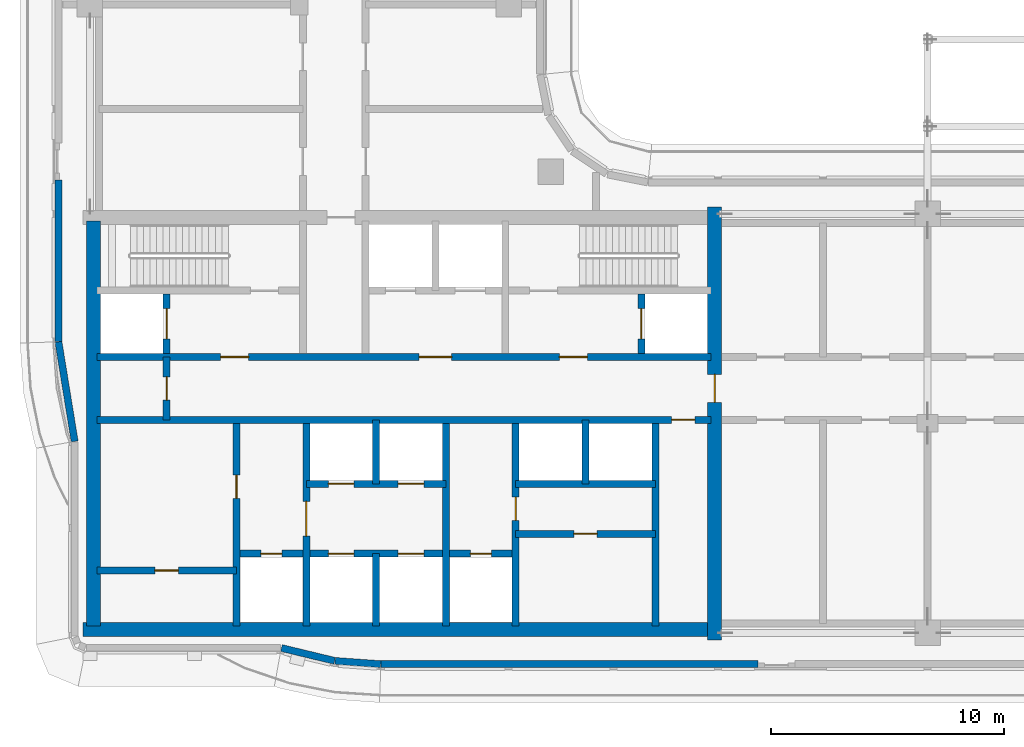
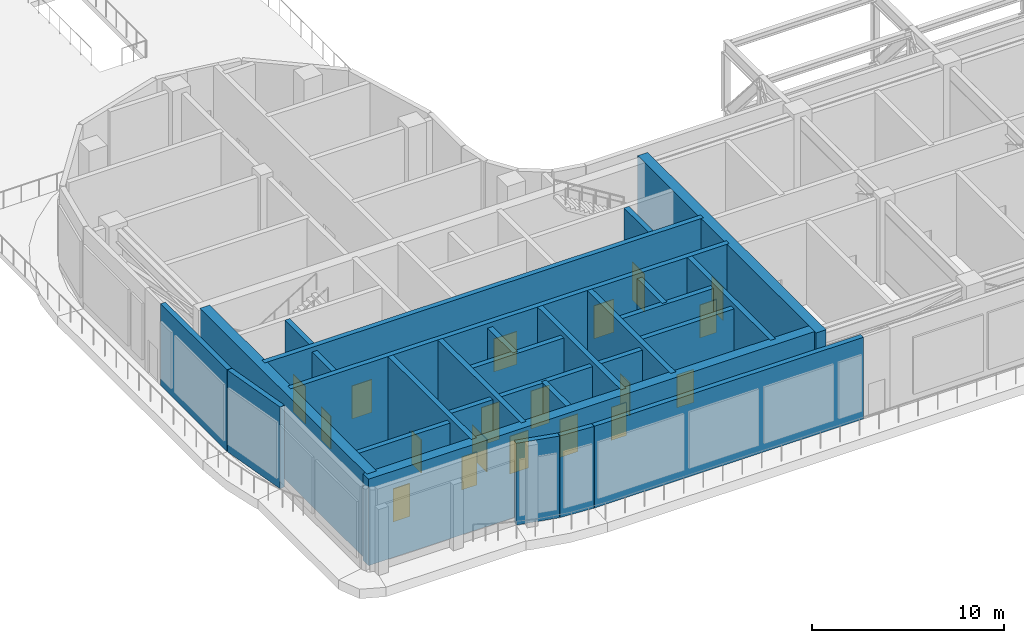
# One storey, part 4 of 18: 26 walls, 19 doors, 19 openings.
"""IFC4 building model written with IfcOpenShell, lengths in metres."""

from ifc_helpers import new_model, si_unit, direction, frame, frame_2d, origin, place, context, subcontext, project, spatial, rectangle, extrude, material, layer, layer_set, type_object, element, fill, save


model = new_model("IFC4")

# Units and contexts
model_context = context("Model", 3, precision=1e-05, world=origin(), true_north=direction((0.0, 1.0)))
body_context = subcontext(model_context, "Body", "Model", "MODEL_VIEW")
ifc_project = project(units=[si_unit("LENGTHUNIT", "METRE"), si_unit("AREAUNIT", "SQUARE_METRE"), si_unit("VOLUMEUNIT", "CUBIC_METRE"), si_unit("PLANEANGLEUNIT", "RADIAN"), si_unit("MASSUNIT", "GRAM", prefix="KILO")], contexts=[model_context])

# Site, building, storey
site_placement = place(None, origin())
site = spatial("IfcSite", under=ifc_project, at=site_placement, CompositionType="ELEMENT")
building_placement = place(site_placement, origin())
building = spatial("IfcBuilding", under=site, at=building_placement, Name="Ogive Portal Towers", CompositionType="ELEMENT")
storey_placement = place(building_placement, frame((0.0, 0.0, 190.300048828125)))
storey = spatial("IfcBuildingStorey", under=building, at=storey_placement, Name="L47", CompositionType="ELEMENT", Elevation=190.300048828125)

# Wall, opening, door
ifc_material_1 = material(Name="Concrete C60/75", Category="concrete")
ifc_layer_1 = layer(ifc_material_1, 0.300048828125)
ifc_layer_set_1 = layer_set([ifc_layer_1], Name="CORE WALL 300 C60")
wall_type_1 = type_object("IfcWallType", Name="CORE WALL 300 C60", PredefinedType="SHEAR", material=ifc_layer_set_1)
wall_1_placement = place(storey_placement, frame((37.800048828125, 21.800048828125, 0.0), z_axis=(0.0, 0.0, 1.0), x_axis=(0.0, 1.0, 0.0)))
wall_1 = element("IfcWall", 1, at=wall_1_placement, inside=storey, type_object=wall_type_1, Name="Core wall X1 L47", PredefinedType="SHEAR", context=body_context, shape_type="SweptSolid", body=[
    extrude(rectangle(XDim=8.699951171875, YDim=0.300048828125, at=frame_2d((4.35009765625, 0.0))), origin(), (0.0, 0.0, 1.0), 5.5),
])
opening_1_placement = place(wall_1_placement, frame((5.47509765625, 0.0, 0.0)))
opening_1 = element("IfcOpeningElement", 2, at=opening_1_placement, cuts=wall_1, Name="Opening D21-020", PredefinedType="OPENING", context=body_context, shape_type="SweptSolid", body=[
    extrude(rectangle(XDim=1.0, YDim=2.10009765625, at=frame_2d((0.5, 1.050048828125))), frame((0.0, 0.16015625, 0.0), z_axis=(0.0, -1.0, 0.0), x_axis=(1.0, 0.0, 0.0)), (0.0, 0.0, 1.0), 0.320068359375),
])
ifc_material_2 = material(Name="Steel fire door", Category="steel")
door_type_1 = type_object("IfcDoorType", Name="DT-SWING-1000x2100-FD90S", OperationType="SINGLE_SWING_LEFT", PredefinedType="DOOR", material=ifc_material_2)
door_1_placement = place(opening_1_placement, origin())
door_1 = element("IfcDoor", 3, at=door_1_placement, inside=storey, type_object=door_type_1, Name="Door D21-020", OperationType="SINGLE_SWING_LEFT", OverallHeight=2.10009765625, OverallWidth=1.0, PredefinedType="DOOR", context=body_context, shape_type="SweptSolid", body=[
    extrude(rectangle(XDim=1.0, YDim=2.10009765625, at=frame_2d((0.5, 1.050048828125))), frame((0.0, 0.02490234375, 0.0), z_axis=(0.0, -1.0, 0.0), x_axis=(1.0, 0.0, 0.0)), (0.0, 0.0, 1.0), 0.050048828125),
])
fill(opening_1, door_1)

wall_2_placement = place(storey_placement, frame((40.800048828125, 21.800048828125, 0.0), z_axis=(0.0, 0.0, 1.0), x_axis=(0.0, 1.0, 0.0)))
wall_2 = element("IfcWall", 4, at=wall_2_placement, inside=storey, type_object=wall_type_1, Name="Core wall X2 L47", PredefinedType="SHEAR", context=body_context, shape_type="SweptSolid", body=[
    extrude(rectangle(XDim=8.699951171875, YDim=0.300048828125, at=frame_2d((4.35009765625, 0.0))), origin(), (0.0, 0.0, 1.0), 5.5),
])
opening_2_placement = place(wall_2_placement, frame((3.85009765625, 0.0, 0.0)))
opening_2 = element("IfcOpeningElement", 5, at=opening_2_placement, cuts=wall_2, Name="Opening D21-001", PredefinedType="OPENING", context=body_context, shape_type="SweptSolid", body=[
    extrude(rectangle(XDim=1.5, YDim=2.10009765625, at=frame_2d((0.75, 1.050048828125))), frame((0.0, 0.16015625, 0.0), z_axis=(0.0, -1.0, 0.0), x_axis=(1.0, 0.0, 0.0)), (0.0, 0.0, 1.0), 0.320068359375),
])
door_type_2 = type_object("IfcDoorType", Name="DT-SWING-1500x2100-FD90S", OperationType="SINGLE_SWING_LEFT", PredefinedType="DOOR", material=ifc_material_2)
door_2_placement = place(opening_2_placement, origin())
door_2 = element("IfcDoor", 6, at=door_2_placement, inside=storey, type_object=door_type_2, Name="Door D21-001", OperationType="SINGLE_SWING_RIGHT", OverallHeight=2.10009765625, OverallWidth=1.5, PredefinedType="DOOR", context=body_context, shape_type="SweptSolid", body=[
    extrude(rectangle(XDim=1.5, YDim=2.10009765625, at=frame_2d((0.75, 1.050048828125))), frame((0.0, 0.02490234375, 0.0), z_axis=(0.0, -1.0, 0.0), x_axis=(1.0, 0.0, 0.0)), (0.0, 0.0, 1.0), 0.050048828125),
])
fill(opening_2, door_2)

# Wall
wall_3_placement = place(storey_placement, frame((46.800048828125, 21.800048828125, 0.0), z_axis=(0.0, 0.0, 1.0), x_axis=(0.0, 1.0, 0.0)))
element("IfcWall", 7, at=wall_3_placement, inside=storey, type_object=wall_type_1, Name="Core wall X3 L47", PredefinedType="SHEAR", context=body_context, shape_type="SweptSolid", body=[
    extrude(rectangle(XDim=8.699951171875, YDim=0.300048828125, at=frame_2d((4.35009765625, 0.0))), origin(), (0.0, 0.0, 1.0), 5.5),
])

# Wall, opening, door
wall_4_placement = place(storey_placement, frame((49.800048828125, 21.800048828125, 0.0), z_axis=(0.0, 0.0, 1.0), x_axis=(0.0, 1.0, 0.0)))
wall_4 = element("IfcWall", 8, at=wall_4_placement, inside=storey, type_object=wall_type_1, Name="Core wall X4 L47", PredefinedType="SHEAR", context=body_context, shape_type="SweptSolid", body=[
    extrude(rectangle(XDim=8.699951171875, YDim=0.300048828125, at=frame_2d((4.35009765625, 0.0))), origin(), (0.0, 0.0, 1.0), 5.5),
])
opening_3_placement = place(wall_4_placement, frame((4.52490234375, 0.0, 0.0)))
opening_3 = element("IfcOpeningElement", 9, at=opening_3_placement, cuts=wall_4, Name="Opening D21-022", PredefinedType="OPENING", context=body_context, shape_type="SweptSolid", body=[
    extrude(rectangle(XDim=1.0, YDim=2.10009765625, at=frame_2d((0.5, 1.050048828125))), frame((0.0, 0.16015625, 0.0), z_axis=(0.0, -1.0, 0.0), x_axis=(1.0, 0.0, 0.0)), (0.0, 0.0, 1.0), 0.320068359375),
])
door_3_placement = place(opening_3_placement, origin())
door_3 = element("IfcDoor", 10, at=door_3_placement, inside=storey, type_object=door_type_1, Name="Door D21-022", OperationType="SINGLE_SWING_LEFT", OverallHeight=2.10009765625, OverallWidth=1.0, PredefinedType="DOOR", context=body_context, shape_type="SweptSolid", body=[
    extrude(rectangle(XDim=1.0, YDim=2.10009765625, at=frame_2d((0.5, 1.050048828125))), frame((0.0, 0.02490234375, 0.0), z_axis=(0.0, -1.0, 0.0), x_axis=(1.0, 0.0, 0.0)), (0.0, 0.0, 1.0), 0.050048828125),
])
fill(opening_3, door_3)

# Wall
wall_5_placement = place(storey_placement, frame((55.800048828125, 21.800048828125, 0.0), z_axis=(0.0, 0.0, 1.0), x_axis=(0.0, 1.0, 0.0)))
element("IfcWall", 11, at=wall_5_placement, inside=storey, type_object=wall_type_1, Name="Core wall X5 L47", PredefinedType="SHEAR", context=body_context, shape_type="SweptSolid", body=[
    extrude(rectangle(XDim=8.699951171875, YDim=0.300048828125, at=frame_2d((4.35009765625, 0.0))), origin(), (0.0, 0.0, 1.0), 5.5),
])

# Wall, opening, door
wall_6_placement = place(storey_placement, frame((31.800048828125, 30.64990234375, 0.0), z_axis=(0.0, 0.0, 1.0), x_axis=(1.0, 0.0, 0.0)))
wall_6 = element("IfcWall", 12, at=wall_6_placement, inside=storey, type_object=wall_type_1, Name="Core wall Y1 L47", PredefinedType="SHEAR", context=body_context, shape_type="SweptSolid", body=[
    extrude(rectangle(XDim=26.39990234375, YDim=0.300048828125, at=frame_2d((13.199951171875, 0.0))), origin(), (0.0, 0.0, 1.0), 5.5),
])
opening_4_placement = place(wall_6_placement, frame((24.699951171875, 0.0, 0.0)))
opening_4 = element("IfcOpeningElement", 13, at=opening_4_placement, cuts=wall_6, Name="Opening D21-009", PredefinedType="OPENING", context=body_context, shape_type="SweptSolid", body=[
    extrude(rectangle(XDim=1.0, YDim=2.10009765625, at=frame_2d((0.5, 1.050048828125))), frame((0.0, 0.16015625, 0.0), z_axis=(0.0, -1.0, 0.0), x_axis=(1.0, 0.0, 0.0)), (0.0, 0.0, 1.0), 0.320068359375),
])
door_4_placement = place(opening_4_placement, origin())
door_4 = element("IfcDoor", 14, at=door_4_placement, inside=storey, type_object=door_type_1, Name="Door D21-009", OperationType="SINGLE_SWING_LEFT", OverallHeight=2.10009765625, OverallWidth=1.0, PredefinedType="DOOR", context=body_context, shape_type="SweptSolid", body=[
    extrude(rectangle(XDim=1.0, YDim=2.10009765625, at=frame_2d((0.5, 1.050048828125))), frame((0.0, 0.02490234375, 0.0), z_axis=(0.0, -1.0, 0.0), x_axis=(1.0, 0.0, 0.0)), (0.0, 0.0, 1.0), 0.050048828125),
])
fill(opening_4, door_4)

# Wall, openings, doors
wall_7_placement = place(storey_placement, frame((31.800048828125, 33.35009765625, 0.0), z_axis=(0.0, 0.0, 1.0), x_axis=(1.0, 0.0, 0.0)))
wall_7 = element("IfcWall", 15, at=wall_7_placement, inside=storey, type_object=wall_type_1, Name="Core wall Y2 L47", PredefinedType="SHEAR", context=body_context, shape_type="SweptSolid", body=[
    extrude(rectangle(XDim=26.39990234375, YDim=0.300048828125, at=frame_2d((13.199951171875, 0.0))), origin(), (0.0, 0.0, 1.0), 5.5),
])
opening_5_placement = place(wall_7_placement, frame((13.85009765625, 0.0, 0.0)))
opening_5 = element("IfcOpeningElement", 16, at=opening_5_placement, cuts=wall_7, Name="Opening D21-002", PredefinedType="OPENING", context=body_context, shape_type="SweptSolid", body=[
    extrude(rectangle(XDim=1.39990234375, YDim=2.10009765625, at=frame_2d((0.699951171875, 1.050048828125))), frame((0.0, 0.16015625, 0.0), z_axis=(0.0, -1.0, 0.0), x_axis=(1.0, 0.0, 0.0)), (0.0, 0.0, 1.0), 0.320068359375),
])
opening_6_placement = place(wall_7_placement, frame((5.324951171875, 0.0, 0.0)))
opening_6 = element("IfcOpeningElement", 17, at=opening_6_placement, cuts=wall_7, Name="Opening D21-003", PredefinedType="OPENING", context=body_context, shape_type="SweptSolid", body=[
    extrude(rectangle(XDim=1.199951171875, YDim=2.10009765625, at=frame_2d((0.60009765625, 1.050048828125))), frame((0.0, 0.16015625, 0.0), z_axis=(0.0, -1.0, 0.0), x_axis=(1.0, 0.0, 0.0)), (0.0, 0.0, 1.0), 0.320068359375),
])
opening_7_placement = place(wall_7_placement, frame((19.875, 0.0, 0.0)))
opening_7 = element("IfcOpeningElement", 18, at=opening_7_placement, cuts=wall_7, Name="Opening D21-004", PredefinedType="OPENING", context=body_context, shape_type="SweptSolid", body=[
    extrude(rectangle(XDim=1.199951171875, YDim=2.10009765625, at=frame_2d((0.60009765625, 1.050048828125))), frame((0.0, 0.16015625, 0.0), z_axis=(0.0, -1.0, 0.0), x_axis=(1.0, 0.0, 0.0)), (0.0, 0.0, 1.0), 0.320068359375),
])
door_type_3 = type_object("IfcDoorType", Name="DT-SWING-1200x2100-FD90S", OperationType="SINGLE_SWING_LEFT", PredefinedType="DOOR", material=ifc_material_2)
door_5_placement = place(opening_6_placement, origin())
door_5 = element("IfcDoor", 19, at=door_5_placement, inside=storey, type_object=door_type_3, Name="Door D21-003", OperationType="SINGLE_SWING_LEFT", OverallHeight=2.10009765625, OverallWidth=1.199951171875, PredefinedType="DOOR", context=body_context, shape_type="SweptSolid", body=[
    extrude(rectangle(XDim=1.199951171875, YDim=2.10009765625, at=frame_2d((0.60009765625, 1.050048828125))), frame((0.0, 0.02490234375, 0.0), z_axis=(0.0, -1.0, 0.0), x_axis=(1.0, 0.0, 0.0)), (0.0, 0.0, 1.0), 0.050048828125),
])
fill(opening_6, door_5)
door_6_placement = place(opening_7_placement, origin())
door_6 = element("IfcDoor", 20, at=door_6_placement, inside=storey, type_object=door_type_3, Name="Door D21-004", OperationType="SINGLE_SWING_RIGHT", OverallHeight=2.10009765625, OverallWidth=1.199951171875, PredefinedType="DOOR", context=body_context, shape_type="SweptSolid", body=[
    extrude(rectangle(XDim=1.199951171875, YDim=2.10009765625, at=frame_2d((0.60009765625, 1.050048828125))), frame((0.0, 0.02490234375, 0.0), z_axis=(0.0, -1.0, 0.0), x_axis=(1.0, 0.0, 0.0)), (0.0, 0.0, 1.0), 0.050048828125),
])
fill(opening_7, door_6)
door_type_4 = type_object("IfcDoorType", Name="DT-SWING-1400x2100-FD90S", OperationType="SINGLE_SWING_LEFT", PredefinedType="DOOR", material=ifc_material_2)
door_7_placement = place(opening_5_placement, origin())
door_7 = element("IfcDoor", 21, at=door_7_placement, inside=storey, type_object=door_type_4, Name="Door D21-002", OperationType="SINGLE_SWING_RIGHT", OverallHeight=2.10009765625, OverallWidth=1.39990234375, PredefinedType="DOOR", context=body_context, shape_type="SweptSolid", body=[
    extrude(rectangle(XDim=1.39990234375, YDim=2.10009765625, at=frame_2d((0.699951171875, 1.050048828125))), frame((0.0, 0.02490234375, 0.0), z_axis=(0.0, -1.0, 0.0), x_axis=(1.0, 0.0, 0.0)), (0.0, 0.0, 1.0), 0.050048828125),
])
fill(opening_5, door_7)

# Wall, opening, door
wall_8_placement = place(storey_placement, frame((34.800048828125, 33.5, 0.0), z_axis=(0.0, 0.0, 1.0), x_axis=(0.0, 1.0, 0.0)))
wall_8 = element("IfcWall", 22, at=wall_8_placement, inside=storey, type_object=wall_type_1, Name="Core wall X8 L47", PredefinedType="SHEAR", context=body_context, shape_type="SweptSolid", body=[
    extrude(rectangle(XDim=2.550048828125, YDim=0.300048828125, at=frame_2d((1.27490234375, 0.0))), origin(), (0.0, 0.0, 1.0), 5.5),
])
opening_8_placement = place(wall_8_placement, frame((0.625, 0.0, 0.0)))
opening_8 = element("IfcOpeningElement", 23, at=opening_8_placement, cuts=wall_8, Name="Opening D21-018", PredefinedType="OPENING", context=body_context, shape_type="SweptSolid", body=[
    extrude(rectangle(XDim=1.300048828125, YDim=2.39990234375, at=frame_2d((0.64990234375, 1.199951171875))), frame((0.0, 0.16015625, 0.0), z_axis=(0.0, -1.0, 0.0), x_axis=(1.0, 0.0, 0.0)), (0.0, 0.0, 1.0), 0.320068359375),
])
ifc_material_3 = material(Name="Stainless steel", Category="steel")
door_type_5 = type_object("IfcDoorType", Name="DT-LD-1300x2400", OperationType="SLIDING_TO_LEFT", PredefinedType="DOOR", material=ifc_material_3)
door_8_placement = place(opening_8_placement, origin())
door_8 = element("IfcDoor", 24, at=door_8_placement, inside=storey, type_object=door_type_5, Name="Door D21-018", OperationType="SLIDING_TO_LEFT", OverallHeight=2.39990234375, OverallWidth=1.300048828125, PredefinedType="DOOR", context=body_context, shape_type="SweptSolid", body=[
    extrude(rectangle(XDim=1.300048828125, YDim=2.39990234375, at=frame_2d((0.64990234375, 1.199951171875))), frame((0.0, 0.02490234375, 0.0), z_axis=(0.0, -1.0, 0.0), x_axis=(1.0, 0.0, 0.0)), (0.0, 0.0, 1.0), 0.050048828125),
])
fill(opening_8, door_8)

wall_9_placement = place(storey_placement, frame((55.199951171875, 33.5, 0.0), z_axis=(0.0, 0.0, 1.0), x_axis=(0.0, 1.0, 0.0)))
wall_9 = element("IfcWall", 25, at=wall_9_placement, inside=storey, type_object=wall_type_1, Name="Core wall X10 L47", PredefinedType="SHEAR", context=body_context, shape_type="SweptSolid", body=[
    extrude(rectangle(XDim=2.550048828125, YDim=0.300048828125, at=frame_2d((1.27490234375, 0.0))), origin(), (0.0, 0.0, 1.0), 5.5),
])
opening_9_placement = place(wall_9_placement, frame((0.625, 0.0, 0.0)))
opening_9 = element("IfcOpeningElement", 26, at=opening_9_placement, cuts=wall_9, Name="Opening D21-019", PredefinedType="OPENING", context=body_context, shape_type="SweptSolid", body=[
    extrude(rectangle(XDim=1.300048828125, YDim=2.39990234375, at=frame_2d((0.64990234375, 1.199951171875))), frame((0.0, 0.16015625, 0.0), z_axis=(0.0, -1.0, 0.0), x_axis=(1.0, 0.0, 0.0)), (0.0, 0.0, 1.0), 0.320068359375),
])
door_9_placement = place(opening_9_placement, origin())
door_9 = element("IfcDoor", 27, at=door_9_placement, inside=storey, type_object=door_type_5, Name="Door D21-019", OperationType="SLIDING_TO_LEFT", OverallHeight=2.39990234375, OverallWidth=1.300048828125, PredefinedType="DOOR", context=body_context, shape_type="SweptSolid", body=[
    extrude(rectangle(XDim=1.300048828125, YDim=2.39990234375, at=frame_2d((0.64990234375, 1.199951171875))), frame((0.0, 0.02490234375, 0.0), z_axis=(0.0, -1.0, 0.0), x_axis=(1.0, 0.0, 0.0)), (0.0, 0.0, 1.0), 0.050048828125),
])
fill(opening_9, door_9)

# Walls
ifc_layer_2 = layer(ifc_material_1, 0.60009765625)
ifc_layer_set_2 = layer_set([ifc_layer_2], Name="CORE WALL 600 C60")
wall_type_2 = type_object("IfcWallType", Name="CORE WALL 600 C60", PredefinedType="SHEAR", material=ifc_layer_set_2)
wall_10_placement = place(storey_placement, frame((31.64990234375, 21.800048828125, 0.0), z_axis=(0.0, 0.0, 1.0), x_axis=(0.0, 1.0, 0.0)))
element("IfcWall", 28, at=wall_10_placement, inside=storey, type_object=wall_type_2, Name="Core wall W L47", PredefinedType="SHEAR", context=body_context, shape_type="SweptSolid", body=[
    extrude(rectangle(XDim=17.39990234375, YDim=0.60009765625, at=frame_2d((8.699951171875, 0.0))), origin(), (0.0, 0.0, 1.0), 5.5),
])
wall_11_placement = place(storey_placement, frame((31.199951171875, 21.64990234375, 0.0), z_axis=(0.0, 0.0, 1.0), x_axis=(1.0, 0.0, 0.0)))
element("IfcWall", 29, at=wall_11_placement, inside=storey, type_object=wall_type_2, Name="Core wall S L47", PredefinedType="SHEAR", context=body_context, shape_type="SweptSolid", body=[
    extrude(rectangle(XDim=27.0, YDim=0.60009765625, at=frame_2d((13.5, 0.0))), origin(), (0.0, 0.0, 1.0), 5.5),
])

# Wall, opening, door
wall_12_placement = place(storey_placement, frame((58.35009765625, 21.199951171875, 0.0), z_axis=(0.0, 0.0, 1.0), x_axis=(0.0, 1.0, 0.0)))
wall_12 = element("IfcWall", 30, at=wall_12_placement, inside=storey, type_object=wall_type_2, Name="Core wall E L47", PredefinedType="SHEAR", context=body_context, shape_type="SweptSolid", body=[
    extrude(rectangle(XDim=18.60009765625, YDim=0.60009765625, at=frame_2d((9.300048828125, 0.0))), origin(), (0.0, 0.0, 1.0), 5.5),
])
opening_10_placement = place(wall_12_placement, frame((10.199951171875, 0.0, 0.0)))
opening_10 = element("IfcOpeningElement", 31, at=opening_10_placement, cuts=wall_12, Name="Opening D21-010", PredefinedType="OPENING", context=body_context, shape_type="SweptSolid", body=[
    extrude(rectangle(XDim=1.199951171875, YDim=2.10009765625, at=frame_2d((0.60009765625, 1.050048828125))), frame((0.0, 0.31005859375, 0.0), z_axis=(0.0, -1.0, 0.0), x_axis=(1.0, 0.0, 0.0)), (0.0, 0.0, 1.0), 0.6201171875),
])
door_10_placement = place(opening_10_placement, origin())
door_10 = element("IfcDoor", 32, at=door_10_placement, inside=storey, type_object=door_type_3, Name="Door D21-010", OperationType="SINGLE_SWING_LEFT", OverallHeight=2.10009765625, OverallWidth=1.199951171875, PredefinedType="DOOR", context=body_context, shape_type="SweptSolid", body=[
    extrude(rectangle(XDim=1.199951171875, YDim=2.10009765625, at=frame_2d((0.60009765625, 1.050048828125))), frame((0.0, 0.02490234375, 0.0), z_axis=(0.0, -1.0, 0.0), x_axis=(1.0, 0.0, 0.0)), (0.0, 0.0, 1.0), 0.050048828125),
])
fill(opening_10, door_10)

# Walls
ifc_material_4 = material(Name="Limestone cladding on lightweight block wall", Category="masonry")
ifc_layer_3 = layer(ifc_material_4, 0.300048828125)
ifc_layer_set_3 = layer_set([ifc_layer_3], Name="EXTERNAL WALL 300 STONE")
wall_type_3 = type_object("IfcWallType", Name="EXTERNAL WALL 300 STONE", PredefinedType="SOLIDWALL", material=ifc_layer_set_3)
wall_13_placement = place(storey_placement, frame((39.734619140625, 20.845703125, 0.0), z_axis=(0.0, 0.0, 1.0), x_axis=(0.97206095595, -0.234728562212, 0.0)))
element("IfcWall", 33, at=wall_13_placement, inside=storey, type_object=wall_type_3, Name="A:L47:f04:r0:wall", PredefinedType="SOLIDWALL", context=body_context, shape_type="SweptSolid", body=[
    extrude(rectangle(XDim=2.349609375, YDim=0.300048828125, at=frame_2d((1.1748046875, 0.0))), origin(), (0.0, 0.0, 1.0), 5.199951171875),
])
wall_14_placement = place(storey_placement, frame((42.043212890625, 20.290283203125, 0.0), z_axis=(0.0, 0.0, 1.0), x_axis=(0.997454275884, -0.071308958214, 0.0)))
element("IfcWall", 34, at=wall_14_placement, inside=storey, type_object=wall_type_3, Name="A:L47:f05:r0:wall", PredefinedType="SOLIDWALL", context=body_context, shape_type="SweptSolid", body=[
    extrude(rectangle(XDim=1.961669921875, YDim=0.300048828125, at=frame_2d((0.98095703125, 0.0))), origin(), (0.0, 0.0, 1.0), 5.199951171875),
])
wall_15_placement = place(storey_placement, frame((44.0107421875, 20.14990234375, 0.0), z_axis=(0.0, 0.0, 1.0), x_axis=(1.0, 0.0, 0.0)))
element("IfcWall", 35, at=wall_15_placement, inside=storey, type_object=wall_type_3, Name="A:L47:f06:r0:wall", PredefinedType="SOLIDWALL", context=body_context, shape_type="SweptSolid", body=[
    extrude(rectangle(XDim=16.189208984375, YDim=0.300048828125, at=frame_2d((8.0947265625, 0.0))), origin(), (0.0, 0.0, 1.0), 5.199951171875),
])
wall_16_placement = place(storey_placement, frame((30.14990234375, 40.949951171875, 0.0), z_axis=(0.0, 0.0, 1.0), x_axis=(0.0, -1.0, 0.0)))
element("IfcWall", 36, at=wall_16_placement, inside=storey, type_object=wall_type_3, Name="A:L47:f24:r1:wall", PredefinedType="SOLIDWALL", context=body_context, shape_type="SweptSolid", body=[
    extrude(rectangle(XDim=6.92578125, YDim=0.300048828125, at=frame_2d((3.462890625, 0.0))), origin(), (0.0, 0.0, 1.0), 5.199951171875),
])
wall_17_placement = place(storey_placement, frame((30.15185546875, 34.000244140625, 0.0), z_axis=(0.0, 0.0, 1.0), x_axis=(0.160697303067, -0.987003736967, 0.0)))
element("IfcWall", 37, at=wall_17_placement, inside=storey, type_object=wall_type_3, Name="A:L47:f25:r0:wall", PredefinedType="SOLIDWALL", context=body_context, shape_type="SweptSolid", body=[
    extrude(rectangle(XDim=4.3330078125, YDim=0.300048828125, at=frame_2d((2.16650390625, 0.0))), origin(), (0.0, 0.0, 1.0), 5.199951171875),
])

# Wall, opening, door
ifc_material_5 = material(Name="Gypsum board partition on steel studs", Category="steel")
ifc_layer_4 = layer(ifc_material_5, 0.300048828125)
ifc_layer_set_4 = layer_set([ifc_layer_4], Name="WT-PART-300")
wall_type_4 = type_object("IfcWallType", Name="WT-PART-300", PredefinedType="PARTITIONING", material=ifc_layer_set_4)
wall_18_placement = place(storey_placement, frame((31.800048828125, 24.173095703125, 0.0), z_axis=(0.0, 0.0, 1.0), x_axis=(1.0, 0.0, 0.0)))
wall_18 = element("IfcWall", 38, at=wall_18_placement, inside=storey, type_object=wall_type_4, Name="Wall pw:001:L47", PredefinedType="PARTITIONING", context=body_context, shape_type="SweptSolid", body=[
    extrude(rectangle(XDim=6.0, YDim=0.300048828125, at=frame_2d((3.0, 0.0))), origin(), (0.0, 0.0, 1.0), 5.199951171875),
])
opening_11_placement = place(wall_18_placement, frame((2.5, 0.0, 0.0)))
opening_11 = element("IfcOpeningElement", 39, at=opening_11_placement, cuts=wall_18, Name="Opening D21-021", PredefinedType="OPENING", context=body_context, shape_type="SweptSolid", body=[
    extrude(rectangle(XDim=1.0, YDim=2.10009765625, at=frame_2d((0.5, 1.050048828125))), frame((0.0, 0.16015625, 0.0), z_axis=(0.0, -1.0, 0.0), x_axis=(1.0, 0.0, 0.0)), (0.0, 0.0, 1.0), 0.320068359375),
])
door_type_6 = type_object("IfcDoorType", Name="DT-SWING-1000x2100-FD60S", OperationType="SINGLE_SWING_LEFT", PredefinedType="DOOR", material=ifc_material_2)
door_11_placement = place(opening_11_placement, origin())
door_11 = element("IfcDoor", 40, at=door_11_placement, inside=storey, type_object=door_type_6, Name="Riser access door D21-021", OperationType="SINGLE_SWING_RIGHT", OverallHeight=2.10009765625, OverallWidth=1.0, PredefinedType="DOOR", context=body_context, shape_type="SweptSolid", body=[
    extrude(rectangle(XDim=1.0, YDim=2.10009765625, at=frame_2d((0.5, 1.050048828125))), frame((0.0, 0.02490234375, 0.0), z_axis=(0.0, -1.0, 0.0), x_axis=(1.0, 0.0, 0.0)), (0.0, 0.0, 1.0), 0.050048828125),
])
fill(opening_11, door_11)

wall_19_placement = place(storey_placement, frame((49.800048828125, 25.75, 0.0), z_axis=(0.0, 0.0, 1.0), x_axis=(1.0, 0.0, 0.0)))
wall_19 = element("IfcWall", 41, at=wall_19_placement, inside=storey, type_object=wall_type_4, Name="Wall pw:003:L47", PredefinedType="PARTITIONING", context=body_context, shape_type="SweptSolid", body=[
    extrude(rectangle(XDim=6.0, YDim=0.300048828125, at=frame_2d((3.0, 0.0))), origin(), (0.0, 0.0, 1.0), 5.199951171875),
])
opening_12_placement = place(wall_19_placement, frame((2.5, 0.0, 0.0)))
opening_12 = element("IfcOpeningElement", 42, at=opening_12_placement, cuts=wall_19, Name="Opening D21-023", PredefinedType="OPENING", context=body_context, shape_type="SweptSolid", body=[
    extrude(rectangle(XDim=1.0, YDim=2.10009765625, at=frame_2d((0.5, 1.050048828125))), frame((0.0, 0.16015625, 0.0), z_axis=(0.0, -1.0, 0.0), x_axis=(1.0, 0.0, 0.0)), (0.0, 0.0, 1.0), 0.320068359375),
])
door_12_placement = place(opening_12_placement, origin())
door_12 = element("IfcDoor", 43, at=door_12_placement, inside=storey, type_object=door_type_6, Name="Door D21-023", OperationType="SINGLE_SWING_RIGHT", OverallHeight=2.10009765625, OverallWidth=1.0, PredefinedType="DOOR", context=body_context, shape_type="SweptSolid", body=[
    extrude(rectangle(XDim=1.0, YDim=2.10009765625, at=frame_2d((0.5, 1.050048828125))), frame((0.0, 0.02490234375, 0.0), z_axis=(0.0, -1.0, 0.0), x_axis=(1.0, 0.0, 0.0)), (0.0, 0.0, 1.0), 0.050048828125),
])
fill(opening_12, door_12)

# Wall, openings, doors
ifc_material_6 = material(Name="Concrete C40/50", Category="concrete")
ifc_layer_5 = layer(ifc_material_6, 0.300048828125)
ifc_layer_set_5 = layer_set([ifc_layer_5], Name="WT-SHAFT-300")
wall_type_5 = type_object("IfcWallType", Name="WT-SHAFT-300", PredefinedType="SOLIDWALL", material=ifc_layer_set_5)
wall_20_placement = place(storey_placement, frame((37.800048828125, 24.89990234375, 0.0), z_axis=(0.0, 0.0, 1.0), x_axis=(1.0, 0.0, 0.0)))
wall_20 = element("IfcWall", 44, at=wall_20_placement, inside=storey, type_object=wall_type_5, Name="Wall pw:002:L47", PredefinedType="SOLIDWALL", context=body_context, shape_type="SweptSolid", body=[
    extrude(rectangle(XDim=12.0, YDim=0.300048828125, at=frame_2d((6.0, 0.0))), origin(), (0.0, 0.0, 1.0), 5.199951171875),
])
opening_13_placement = place(wall_20_placement, frame((1.050048828125, 0.0, 0.0)))
opening_13 = element("IfcOpeningElement", 45, at=opening_13_placement, cuts=wall_20, Name="Opening D21-007", PredefinedType="OPENING", context=body_context, shape_type="SweptSolid", body=[
    extrude(rectangle(XDim=0.89990234375, YDim=2.10009765625, at=frame_2d((0.449951171875, 1.050048828125))), frame((0.0, 0.16015625, 0.0), z_axis=(0.0, -1.0, 0.0), x_axis=(1.0, 0.0, 0.0)), (0.0, 0.0, 1.0), 0.320068359375),
])
opening_14_placement = place(wall_20_placement, frame((10.050048828125, 0.0, 0.0)))
opening_14 = element("IfcOpeningElement", 46, at=opening_14_placement, cuts=wall_20, Name="Opening D21-008", PredefinedType="OPENING", context=body_context, shape_type="SweptSolid", body=[
    extrude(rectangle(XDim=0.89990234375, YDim=2.10009765625, at=frame_2d((0.449951171875, 1.050048828125))), frame((0.0, 0.16015625, 0.0), z_axis=(0.0, -1.0, 0.0), x_axis=(1.0, 0.0, 0.0)), (0.0, 0.0, 1.0), 0.320068359375),
])
opening_15_placement = place(wall_20_placement, frame((3.949951171875, 0.0, 0.0)))
opening_15 = element("IfcOpeningElement", 47, at=opening_15_placement, cuts=wall_20, Name="Opening D21-012", PredefinedType="OPENING", context=body_context, shape_type="SweptSolid", body=[
    extrude(rectangle(XDim=1.10009765625, YDim=2.39990234375, at=frame_2d((0.550048828125, 1.199951171875))), frame((0.0, 0.16015625, 0.0), z_axis=(0.0, -1.0, 0.0), x_axis=(1.0, 0.0, 0.0)), (0.0, 0.0, 1.0), 0.320068359375),
])
opening_16_placement = place(wall_20_placement, frame((6.949951171875, 0.0, 0.0)))
opening_16 = element("IfcOpeningElement", 48, at=opening_16_placement, cuts=wall_20, Name="Opening D21-013", PredefinedType="OPENING", context=body_context, shape_type="SweptSolid", body=[
    extrude(rectangle(XDim=1.10009765625, YDim=2.39990234375, at=frame_2d((0.550048828125, 1.199951171875))), frame((0.0, 0.16015625, 0.0), z_axis=(0.0, -1.0, 0.0), x_axis=(1.0, 0.0, 0.0)), (0.0, 0.0, 1.0), 0.320068359375),
])
door_type_7 = type_object("IfcDoorType", Name="DT-LD-1100x2400", OperationType="SLIDING_TO_LEFT", PredefinedType="DOOR", material=ifc_material_3)
door_13_placement = place(opening_15_placement, origin())
door_13 = element("IfcDoor", 49, at=door_13_placement, inside=storey, type_object=door_type_7, Name="Door D21-012", OperationType="SLIDING_TO_LEFT", OverallHeight=2.39990234375, OverallWidth=1.10009765625, PredefinedType="DOOR", context=body_context, shape_type="SweptSolid", body=[
    extrude(rectangle(XDim=1.10009765625, YDim=2.39990234375, at=frame_2d((0.550048828125, 1.199951171875))), frame((0.0, 0.02490234375, 0.0), z_axis=(0.0, -1.0, 0.0), x_axis=(1.0, 0.0, 0.0)), (0.0, 0.0, 1.0), 0.050048828125),
])
fill(opening_15, door_13)
door_14_placement = place(opening_16_placement, origin())
door_14 = element("IfcDoor", 50, at=door_14_placement, inside=storey, type_object=door_type_7, Name="Door D21-013", OperationType="SLIDING_TO_LEFT", OverallHeight=2.39990234375, OverallWidth=1.10009765625, PredefinedType="DOOR", context=body_context, shape_type="SweptSolid", body=[
    extrude(rectangle(XDim=1.10009765625, YDim=2.39990234375, at=frame_2d((0.550048828125, 1.199951171875))), frame((0.0, 0.02490234375, 0.0), z_axis=(0.0, -1.0, 0.0), x_axis=(1.0, 0.0, 0.0)), (0.0, 0.0, 1.0), 0.050048828125),
])
fill(opening_16, door_14)
door_type_8 = type_object("IfcDoorType", Name="DT-SWING-900x2100-FD90S", OperationType="SINGLE_SWING_LEFT", PredefinedType="DOOR", material=ifc_material_2)
door_15_placement = place(opening_13_placement, origin())
door_15 = element("IfcDoor", 51, at=door_15_placement, inside=storey, type_object=door_type_8, Name="Riser access door D21-007", OperationType="SINGLE_SWING_LEFT", OverallHeight=2.10009765625, OverallWidth=0.89990234375, PredefinedType="DOOR", context=body_context, shape_type="SweptSolid", body=[
    extrude(rectangle(XDim=0.89990234375, YDim=2.10009765625, at=frame_2d((0.449951171875, 1.050048828125))), frame((0.0, 0.02490234375, 0.0), z_axis=(0.0, -1.0, 0.0), x_axis=(1.0, 0.0, 0.0)), (0.0, 0.0, 1.0), 0.050048828125),
])
fill(opening_13, door_15)
door_16_placement = place(opening_14_placement, origin())
door_16 = element("IfcDoor", 52, at=door_16_placement, inside=storey, type_object=door_type_8, Name="Riser access door D21-008", OperationType="SINGLE_SWING_RIGHT", OverallHeight=2.10009765625, OverallWidth=0.89990234375, PredefinedType="DOOR", context=body_context, shape_type="SweptSolid", body=[
    extrude(rectangle(XDim=0.89990234375, YDim=2.10009765625, at=frame_2d((0.449951171875, 1.050048828125))), frame((0.0, 0.02490234375, 0.0), z_axis=(0.0, -1.0, 0.0), x_axis=(1.0, 0.0, 0.0)), (0.0, 0.0, 1.0), 0.050048828125),
])
fill(opening_14, door_16)

wall_21_placement = place(storey_placement, frame((40.800048828125, 27.89990234375, 0.0), z_axis=(0.0, 0.0, 1.0), x_axis=(1.0, 0.0, 0.0)))
wall_21 = element("IfcWall", 53, at=wall_21_placement, inside=storey, type_object=wall_type_5, Name="Wall pw:004:L47", PredefinedType="SOLIDWALL", context=body_context, shape_type="SweptSolid", body=[
    extrude(rectangle(XDim=6.0, YDim=0.300048828125, at=frame_2d((3.0, 0.0))), origin(), (0.0, 0.0, 1.0), 5.199951171875),
])
opening_17_placement = place(wall_21_placement, frame((0.949951171875, 0.0, 0.0)))
opening_17 = element("IfcOpeningElement", 54, at=opening_17_placement, cuts=wall_21, Name="Opening D21-014", PredefinedType="OPENING", context=body_context, shape_type="SweptSolid", body=[
    extrude(rectangle(XDim=1.10009765625, YDim=2.39990234375, at=frame_2d((0.550048828125, 1.199951171875))), frame((0.0, 0.16015625, 0.0), z_axis=(0.0, -1.0, 0.0), x_axis=(1.0, 0.0, 0.0)), (0.0, 0.0, 1.0), 0.320068359375),
])
opening_18_placement = place(wall_21_placement, frame((3.949951171875, 0.0, 0.0)))
opening_18 = element("IfcOpeningElement", 55, at=opening_18_placement, cuts=wall_21, Name="Opening D21-015", PredefinedType="OPENING", context=body_context, shape_type="SweptSolid", body=[
    extrude(rectangle(XDim=1.10009765625, YDim=2.39990234375, at=frame_2d((0.550048828125, 1.199951171875))), frame((0.0, 0.16015625, 0.0), z_axis=(0.0, -1.0, 0.0), x_axis=(1.0, 0.0, 0.0)), (0.0, 0.0, 1.0), 0.320068359375),
])
door_17_placement = place(opening_17_placement, origin())
door_17 = element("IfcDoor", 56, at=door_17_placement, inside=storey, type_object=door_type_7, Name="Door D21-014", OperationType="SLIDING_TO_LEFT", OverallHeight=2.39990234375, OverallWidth=1.10009765625, PredefinedType="DOOR", context=body_context, shape_type="SweptSolid", body=[
    extrude(rectangle(XDim=1.10009765625, YDim=2.39990234375, at=frame_2d((0.550048828125, 1.199951171875))), frame((0.0, 0.02490234375, 0.0), z_axis=(0.0, -1.0, 0.0), x_axis=(1.0, 0.0, 0.0)), (0.0, 0.0, 1.0), 0.050048828125),
])
fill(opening_17, door_17)
door_18_placement = place(opening_18_placement, origin())
door_18 = element("IfcDoor", 57, at=door_18_placement, inside=storey, type_object=door_type_7, Name="Door D21-015", OperationType="SLIDING_TO_LEFT", OverallHeight=2.39990234375, OverallWidth=1.10009765625, PredefinedType="DOOR", context=body_context, shape_type="SweptSolid", body=[
    extrude(rectangle(XDim=1.10009765625, YDim=2.39990234375, at=frame_2d((0.550048828125, 1.199951171875))), frame((0.0, 0.02490234375, 0.0), z_axis=(0.0, -1.0, 0.0), x_axis=(1.0, 0.0, 0.0)), (0.0, 0.0, 1.0), 0.050048828125),
])
fill(opening_18, door_18)

# Wall
wall_22_placement = place(storey_placement, frame((49.800048828125, 27.89990234375, 0.0), z_axis=(0.0, 0.0, 1.0), x_axis=(1.0, 0.0, 0.0)))
element("IfcWall", 58, at=wall_22_placement, inside=storey, type_object=wall_type_5, Name="Wall pw:005:L47", PredefinedType="SOLIDWALL", context=body_context, shape_type="SweptSolid", body=[
    extrude(rectangle(XDim=6.0, YDim=0.300048828125, at=frame_2d((3.0, 0.0))), origin(), (0.0, 0.0, 1.0), 5.199951171875),
])

# Wall, opening, door
wall_23_placement = place(storey_placement, frame((34.800048828125, 30.64990234375, 0.0), z_axis=(0.0, 0.0, 1.0), x_axis=(0.0, 1.0, 0.0)))
wall_23 = element("IfcWall", 59, at=wall_23_placement, inside=storey, type_object=wall_type_5, Name="Wall pw:006:L47", PredefinedType="SOLIDWALL", context=body_context, shape_type="SweptSolid", body=[
    extrude(rectangle(XDim=2.7001953125, YDim=0.300048828125, at=frame_2d((1.35009765625, 0.0))), origin(), (0.0, 0.0, 1.0), 5.199951171875),
])
opening_19_placement = place(wall_23_placement, frame((0.85009765625, 0.0, 0.0)))
opening_19 = element("IfcOpeningElement", 60, at=opening_19_placement, cuts=wall_23, Name="Opening D21-024", PredefinedType="OPENING", context=body_context, shape_type="SweptSolid", body=[
    extrude(rectangle(XDim=1.0, YDim=2.10009765625, at=frame_2d((0.5, 1.050048828125))), frame((0.0, 0.16015625, 0.0), z_axis=(0.0, -1.0, 0.0), x_axis=(1.0, 0.0, 0.0)), (0.0, 0.0, 1.0), 0.320068359375),
])
door_19_placement = place(opening_19_placement, origin())
door_19 = element("IfcDoor", 61, at=door_19_placement, inside=storey, type_object=door_type_1, Name="Door D21-024", OperationType="SINGLE_SWING_LEFT", OverallHeight=2.10009765625, OverallWidth=1.0, PredefinedType="DOOR", context=body_context, shape_type="SweptSolid", body=[
    extrude(rectangle(XDim=1.0, YDim=2.10009765625, at=frame_2d((0.5, 1.050048828125))), frame((0.0, 0.02490234375, 0.0), z_axis=(0.0, -1.0, 0.0), x_axis=(1.0, 0.0, 0.0)), (0.0, 0.0, 1.0), 0.050048828125),
])
fill(opening_19, door_19)

# Walls
wall_24_placement = place(storey_placement, frame((43.800048828125, 21.800048828125, 0.0), z_axis=(0.0, 0.0, 1.0), x_axis=(0.0, 1.0, 0.0)))
element("IfcWall", 62, at=wall_24_placement, inside=storey, type_object=wall_type_5, Name="Wall pw:007:L47", PredefinedType="SOLIDWALL", context=body_context, shape_type="SweptSolid", body=[
    extrude(rectangle(XDim=3.099853515625, YDim=0.300048828125, at=frame_2d((1.5498046875, 0.0))), origin(), (0.0, 0.0, 1.0), 5.199951171875),
])
for number, where, z_axis, x_axis, name in (
    (63, (43.800048828125, 27.89990234375, 0.0), (0.0, 0.0, 1.0), (0.0, 1.0, 0.0), "Wall pw:008:L47"),
    (64, (52.800048828125, 27.89990234375, 0.0), (0.0, 0.0, 1.0), (0.0, 1.0, 0.0), "Wall pw:010:L47"),
):
    element("IfcWall", number, at=place(storey_placement, frame(where, z_axis=z_axis, x_axis=x_axis)), inside=storey, type_object=wall_type_5, Name=name, PredefinedType="SOLIDWALL", context=body_context, shape_type="SweptSolid", body=[
        extrude(rectangle(XDim=2.75, YDim=0.300048828125, at=frame_2d((1.375, 0.0))), origin(), (0.0, 0.0, 1.0), 5.199951171875),
    ])

save(model, "model.ifc")
